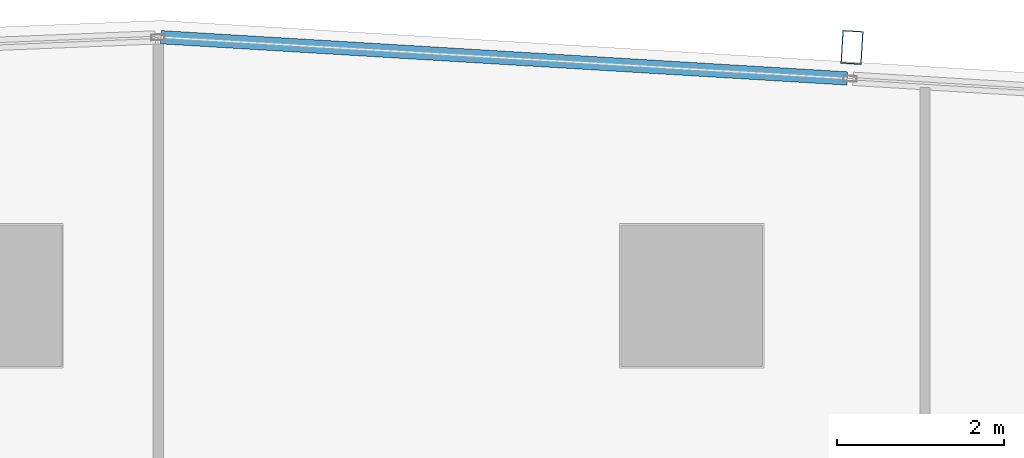
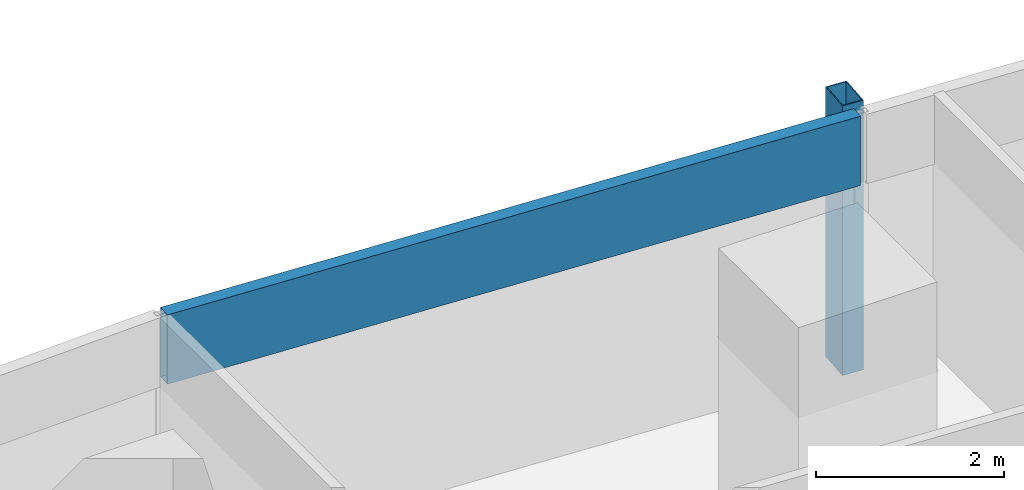
# One storey, part 22 of 40: 2 members, 1 element without a shape of its own.
"""IFC4 building model written with IfcOpenShell, lengths in metres."""

from ifc_helpers import new_model, si_unit, direction, frame, origin, origin_2d, place, context, subcontext, project, spatial, hollow_rectangle, extrude, material, material_profile, profile_set, type_object, element, aggregate, save


model = new_model("IFC4")

# Units and contexts
model_context = context("Model", 3, precision=1e-05, world=origin(), true_north=direction((0.0, 1.0)))
body_context = subcontext(model_context, "Body", "Model", "MODEL_VIEW")
ifc_project = project(units=[si_unit("LENGTHUNIT", "METRE"), si_unit("AREAUNIT", "SQUARE_METRE"), si_unit("VOLUMEUNIT", "CUBIC_METRE"), si_unit("PLANEANGLEUNIT", "RADIAN"), si_unit("MASSUNIT", "GRAM", prefix="KILO")], contexts=[model_context])

# Site, building, storey
site_placement = place(None, origin())
site = spatial("IfcSite", under=ifc_project, at=site_placement, CompositionType="ELEMENT")
building_placement = place(site_placement, origin())
building = spatial("IfcBuilding", under=site, at=building_placement, Name="Rekha Terrace Tower", CompositionType="ELEMENT")
storey_placement = place(building_placement, frame((0.0, 0.0, 140.300048828125)))
storey = spatial("IfcBuildingStorey", under=building, at=storey_placement, Name="L35", CompositionType="ELEMENT", Elevation=140.300048828125)

# Curtain wall, members
ifc_material_1 = material(Name="Aluminium framing", Category="aluminium")
curtain_wall_type = type_object("IfcCurtainWallType", Name="CW3 north unitised glazing", PredefinedType="USERDEFINED", material=ifc_material_1)
curtain_wall_placement = place(storey_placement, origin())
curtain_wall = element("IfcCurtainWall", 1, at=curtain_wall_placement, inside=storey, type_object=curtain_wall_type, Name="CW3 unitised curtain wall", ObjectType="UNITISED CURTAIN WALL", PredefinedType="USERDEFINED")
ifc_material_2 = material(Name="Steel S355 with fluorocarbon finish", Category="steel")
ifc_material_profile_1 = material_profile(ifc_material_2, hollow_rectangle(XDim=0.25, YDim=0.39990234375, WallThickness=0.012451171875, at=origin_2d()), Name="RHS400x250x12.5")
ifc_profile_set_1 = profile_set([ifc_material_profile_1], Name="Steel S355 with fluorocarbon finish")
member_type_1 = type_object("IfcMemberType", Name="BL1 facade blade RHS 400 x 250", PredefinedType="USERDEFINED", material=ifc_profile_set_1)
member_1_placement = place(storey_placement, frame((52.322265625, 61.777587890625, 0.0), z_axis=(0.0, 0.0, 1.0), x_axis=(-0.998199123409, 0.059987582268, 0.0)))
member_1 = element("IfcMember", 2, at=member_1_placement, type_object=member_type_1, Name="Facade blade", ObjectType="FACADE BLADE", PredefinedType="USERDEFINED", context=body_context, shape_type="SweptSolid", body=[
    extrude(hollow_rectangle(XDim=0.25, YDim=0.39990234375, WallThickness=0.012451171875, at=origin_2d()), origin(), (0.0, 0.0, 1.0), 3.5),
])
ifc_material_3 = material(Name="Insulated aluminium spandrel box", Category="aluminium")
ifc_material_profile_2 = material_profile(ifc_material_3, hollow_rectangle(XDim=0.159912109375, YDim=0.89990234375, WallThickness=0.0029296875, at=origin_2d()), Name="AL SPANDREL BOX 160x900")
ifc_profile_set_2 = profile_set([ifc_material_profile_2], Name="Insulated aluminium spandrel box")
member_type_2 = type_object("IfcMemberType", Name="CW3 spandrel transom 160 x 900", PredefinedType="USERDEFINED", material=ifc_profile_set_2)
member_2_placement = place(storey_placement, frame((52.2646484375, 61.4052734375, 3.050048828125), z_axis=(-0.998199102701, 0.059987926845, 0.0), x_axis=(-0.059987926845, -0.998199102701, 0.0)))
member_2 = element("IfcMember", 3, at=member_2_placement, type_object=member_type_2, Name="CW3 spandrel transom 3", ObjectType="TRANSOM", PredefinedType="USERDEFINED", context=body_context, shape_type="SweptSolid", body=[
    extrude(hollow_rectangle(XDim=0.159912109375, YDim=0.89990234375, WallThickness=0.0029296875, at=origin_2d()), origin(), (0.0, 0.0, 1.0), 8.241455078125),
])
aggregate(curtain_wall, [member_2, member_1])

save(model, "model.ifc")
